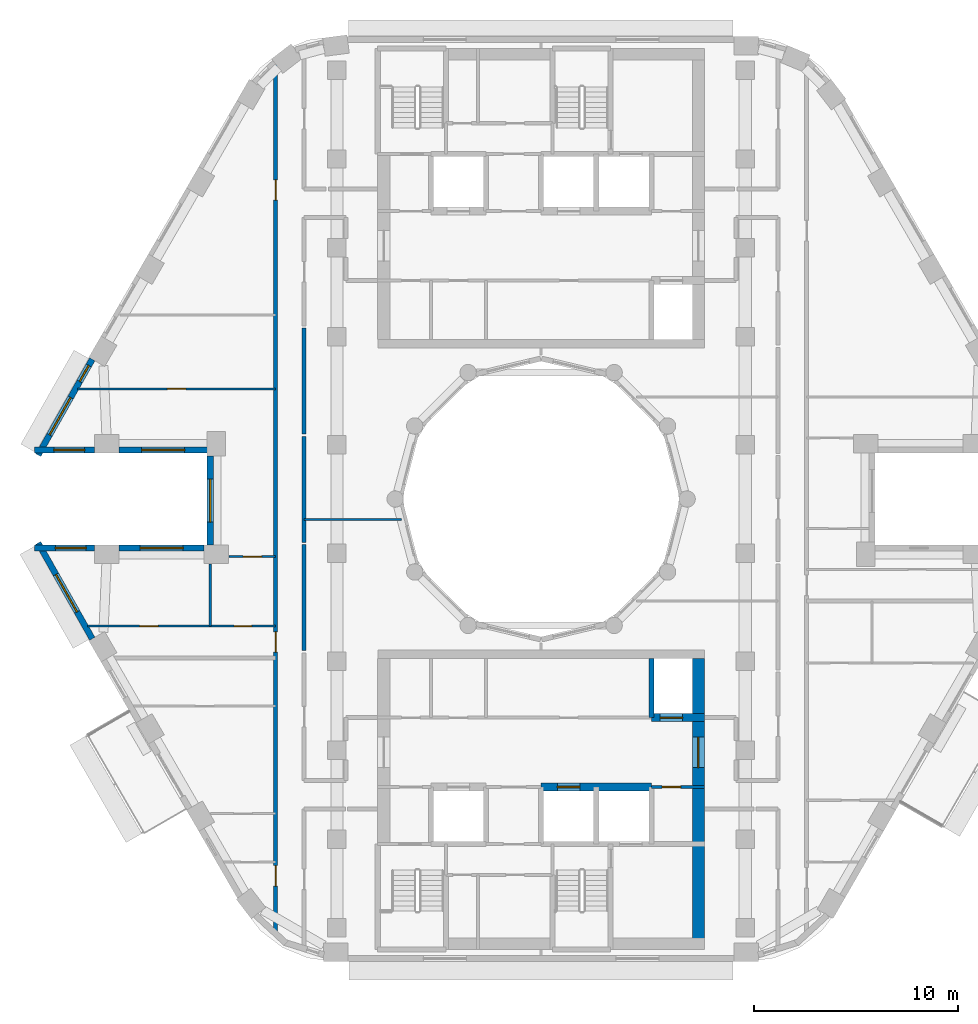
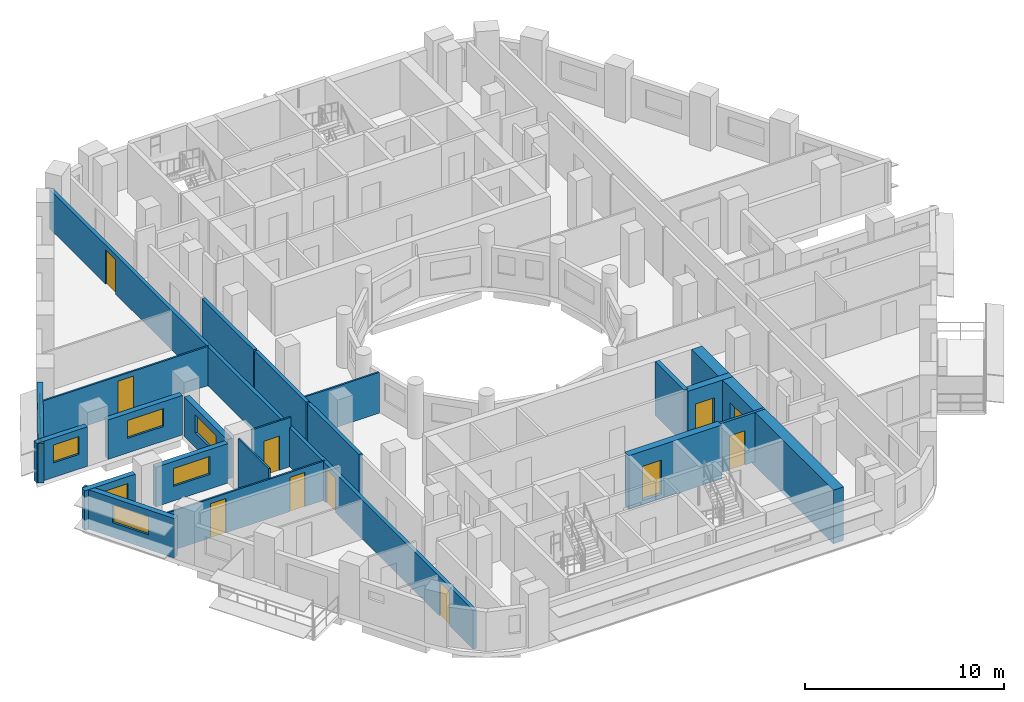
# One storey, part 4 of 15: 21 walls, 11 doors, 8 windows, 19 openings.
"""IFC4 building model written with IfcOpenShell, lengths in metres."""

from ifc_helpers import new_model, si_unit, direction, frame, frame_2d, origin, place, context, subcontext, project, spatial, rectangle, extrude, material, layer, layer_set, type_object, element, fill, save


model = new_model("IFC4")

# Units and contexts
model_context = context("Model", 3, precision=1e-05, world=origin(), true_north=direction((0.0, 1.0)))
body_context = subcontext(model_context, "Body", "Model", "MODEL_VIEW")
ifc_project = project(units=[si_unit("LENGTHUNIT", "METRE"), si_unit("AREAUNIT", "SQUARE_METRE"), si_unit("VOLUMEUNIT", "CUBIC_METRE"), si_unit("PLANEANGLEUNIT", "RADIAN"), si_unit("MASSUNIT", "GRAM", prefix="KILO")], contexts=[model_context])

# Site, building, storey
site_placement = place(None, origin())
site = spatial("IfcSite", under=ifc_project, at=site_placement, CompositionType="ELEMENT")
building_placement = place(site_placement, origin())
building = spatial("IfcBuilding", under=site, at=building_placement, Name="Nakaniwa Court", CompositionType="ELEMENT")
storey_placement = place(building_placement, frame((0.0, 0.0, 186.60009765625)))
storey = spatial("IfcBuildingStorey", under=building, at=storey_placement, Name="L48", CompositionType="ELEMENT", Elevation=186.60009765625)

# Walls
ifc_material_1 = material(Name="Acoustic double stud partition")
ifc_layer_1 = layer(ifc_material_1, 0.199951171875)
ifc_layer_set_1 = layer_set([ifc_layer_1], Name="Acoustic double stud partition")
wall_type_1 = type_object("IfcWallType", Name="Acoustic double stud partition 200", PredefinedType="PARTITIONING", material=ifc_layer_set_1)
for number, where, z_axis, x_axis, name in (
    (1, (68.39990234375, 72.5771484375, 0.0), (0.0, 0.0, 1.0), (0.0, 1.0, 0.0), "Partition PW-097"),
    (2, (68.39990234375, 77.877197265625, 0.0), (0.0, 0.0, 1.0), (0.0, 1.0, 0.0), "Partition PW-098"),
    (3, (68.39990234375, 83.17724609375, 0.0), (0.0, 0.0, 1.0), (0.0, 1.0, 0.0), "Partition PW-099"),
):
    element("IfcWall", number, at=place(storey_placement, frame(where, z_axis=z_axis, x_axis=x_axis)), inside=storey, type_object=wall_type_1, Name=name, PredefinedType="PARTITIONING", context=body_context, shape_type="SweptSolid", body=[
        extrude(rectangle(XDim=5.185546875, YDim=0.199951171875, at=frame_2d((2.5927734375, 0.0))), origin(), (0.0, 0.0, 1.0), 3.02490234375),
    ])

# Wall, openings, doors
wall_1_placement = place(storey_placement, frame((67.0, 58.67431640625, 0.0), z_axis=(0.0, 0.0, 1.0), x_axis=(0.0, 1.0, 0.0)))
wall_1 = element("IfcWall", 4, at=wall_1_placement, inside=storey, type_object=wall_type_1, Name="Partition PW-102", PredefinedType="PARTITIONING", context=body_context, shape_type="SweptSolid", body=[
    extrude(rectangle(XDim=42.591796875, YDim=0.199951171875, at=frame_2d((21.2958984375, 0.0))), origin(), (0.0, 0.0, 1.0), 2.40478515625),
])
opening_1_placement = place(wall_1_placement, frame((2.3759765625, 0.0, 0.0)))
opening_1 = element("IfcOpeningElement", 5, at=opening_1_placement, cuts=wall_1, Name="Opening D-01-03", PredefinedType="OPENING", context=body_context, shape_type="SweptSolid", body=[
    extrude(rectangle(XDim=1.0, YDim=2.10009765625, at=frame_2d((0.5, 1.050048828125))), frame((0.0, 0.10986328125, 0.0), z_axis=(0.0, -1.0, 0.0), x_axis=(1.0, 0.0, 0.0)), (0.0, 0.0, 1.0), 0.219970703125),
])
opening_2_placement = place(wall_1_placement, frame((13.825927734375, 0.0, 0.0)))
opening_2 = element("IfcOpeningElement", 6, at=opening_2_placement, cuts=wall_1, Name="Opening D-01-04", PredefinedType="OPENING", context=body_context, shape_type="SweptSolid", body=[
    extrude(rectangle(XDim=1.0, YDim=2.10009765625, at=frame_2d((0.5, 1.050048828125))), frame((0.0, 0.10986328125, 0.0), z_axis=(0.0, -1.0, 0.0), x_axis=(1.0, 0.0, 0.0)), (0.0, 0.0, 1.0), 0.219970703125),
])
opening_3_placement = place(wall_1_placement, frame((35.95703125, 0.0, 0.0)))
opening_3 = element("IfcOpeningElement", 7, at=opening_3_placement, cuts=wall_1, Name="Opening D-02-10", PredefinedType="OPENING", context=body_context, shape_type="SweptSolid", body=[
    extrude(rectangle(XDim=1.0, YDim=2.10009765625, at=frame_2d((0.5, 1.050048828125))), frame((0.0, 0.10986328125, 0.0), z_axis=(0.0, -1.0, 0.0), x_axis=(1.0, 0.0, 0.0)), (0.0, 0.0, 1.0), 0.219970703125),
])
ifc_material_2 = material(Name="Solid core timber door set, black veneer", Category="wood")
door_type_1 = type_object("IfcDoorType", Name="Flat entrance door 1000", OperationType="NOTDEFINED", PredefinedType="DOOR", material=ifc_material_2)
door_1_placement = place(opening_1_placement, origin())
door_1 = element("IfcDoor", 8, at=door_1_placement, inside=storey, type_object=door_type_1, Name="Door D-01-03 L48-037", OperationType="SINGLE_SWING_RIGHT", OverallHeight=2.10009765625, OverallWidth=1.0, PredefinedType="DOOR", context=body_context, shape_type="SweptSolid", body=[
    extrude(rectangle(XDim=1.0, YDim=2.10009765625, at=frame_2d((0.5, 1.050048828125))), frame((0.0, 0.02490234375, 0.0), z_axis=(0.0, -1.0, 0.0), x_axis=(1.0, 0.0, 0.0)), (0.0, 0.0, 1.0), 0.050048828125),
])
fill(opening_1, door_1)
door_2_placement = place(opening_2_placement, origin())
door_2 = element("IfcDoor", 9, at=door_2_placement, inside=storey, type_object=door_type_1, Name="Door D-01-04 L48-042", OperationType="SINGLE_SWING_LEFT", OverallHeight=2.10009765625, OverallWidth=1.0, PredefinedType="DOOR", context=body_context, shape_type="SweptSolid", body=[
    extrude(rectangle(XDim=1.0, YDim=2.10009765625, at=frame_2d((0.5, 1.050048828125))), frame((0.0, 0.02490234375, 0.0), z_axis=(0.0, -1.0, 0.0), x_axis=(1.0, 0.0, 0.0)), (0.0, 0.0, 1.0), 0.050048828125),
])
fill(opening_2, door_2)
door_type_2 = type_object("IfcDoorType", Name="Internal door 1000", OperationType="NOTDEFINED", PredefinedType="DOOR", material=ifc_material_2)
door_3_placement = place(opening_3_placement, origin())
door_3 = element("IfcDoor", 10, at=door_3_placement, inside=storey, type_object=door_type_2, Name="Door D-02-10 L48-050", OperationType="SINGLE_SWING_LEFT", OverallHeight=2.10009765625, OverallWidth=1.0, PredefinedType="DOOR", context=body_context, shape_type="SweptSolid", body=[
    extrude(rectangle(XDim=1.0, YDim=2.10009765625, at=frame_2d((0.5, 1.050048828125))), frame((0.0, 0.02490234375, 0.0), z_axis=(0.0, -1.0, 0.0), x_axis=(1.0, 0.0, 0.0)), (0.0, 0.0, 1.0), 0.050048828125),
])
fill(opening_3, door_3)

# Wall, openings, windows
ifc_material_3 = material(Name="Charcoal ceramic cladding")
ifc_layer_2 = layer(ifc_material_3, 0.02, Name="Ceramic cladding")
ifc_material_4 = material(Name="Ventilated air cavity")
ifc_layer_3 = layer(ifc_material_4, 0.04, ventilated=True, Name="Ventilated cavity")
ifc_material_5 = material(Name="Mineral wool insulation")
ifc_layer_4 = layer(ifc_material_5, 0.1, Name="Insulation")
ifc_material_6 = material(Name="Cement bonded sheathing board")
ifc_layer_5 = layer(ifc_material_6, 0.012, Name="Sheathing")
ifc_material_7 = material(Name="Cold-formed galvanised stud frame with mineral wool infill")
ifc_layer_6 = layer(ifc_material_7, 0.1, Name="Stud frame")
ifc_material_8 = material(Name="Fire-rated gypsum plasterboard lining")
ifc_layer_7 = layer(ifc_material_8, 0.028, Name="Lining")
ifc_layer_set_2 = layer_set([ifc_layer_2, ifc_layer_3, ifc_layer_4, ifc_layer_5, ifc_layer_6, ifc_layer_7], Name="Charcoal ceramic faced external wall system")
wall_type_2 = type_object("IfcWallType", Name="Black ceramic faced external wall 300", PredefinedType="SOLIDWALL", material=ifc_layer_set_2)
wall_2_placement = place(storey_placement, frame((58.023193359375, 86.843017578125, 0.0), z_axis=(0.0, 0.0, 1.0), x_axis=(-0.492033360928, -0.870576344575, 0.0)))
wall_2 = element("IfcWall", 11, at=wall_2_placement, inside=storey, type_object=wall_type_2, Name="L48 external wall 14", PredefinedType="SOLIDWALL", context=body_context, shape_type="SweptSolid", body=[
    extrude(rectangle(XDim=5.38671875, YDim=0.300048828125, at=frame_2d((2.693359375, 0.0))), origin(), (0.0, 0.0, 1.0), 2.4248046875),
])
opening_4_placement = place(wall_2_placement, frame((0.346923828125, 0.0, 0.89990234375)))
opening_4 = element("IfcOpeningElement", 12, at=opening_4_placement, cuts=wall_2, Name="Opening W9.16", PredefinedType="OPENING", context=body_context, shape_type="SweptSolid", body=[
    extrude(rectangle(XDim=0.89990234375, YDim=1.10009765625, at=frame_2d((0.449951171875, 0.550048828125))), frame((0.0, 0.159912109375, 0.0), z_axis=(0.0, -1.0, 0.0), x_axis=(1.0, 0.0, 0.0)), (0.0, 0.0, 1.0), 0.320068359375),
])
opening_5_placement = place(wall_2_placement, frame((2.15185546875, 0.0, 0.89990234375)))
opening_5 = element("IfcOpeningElement", 13, at=opening_5_placement, cuts=wall_2, Name="Opening W7.17", PredefinedType="OPENING", context=body_context, shape_type="SweptSolid", body=[
    extrude(rectangle(XDim=2.10009765625, YDim=1.10009765625, at=frame_2d((1.050048828125, 0.550048828125))), frame((0.0, 0.159912109375, 0.0), z_axis=(0.0, -1.0, 0.0), x_axis=(1.0, 0.0, 0.0)), (0.0, 0.0, 1.0), 0.320068359375),
])
ifc_material_9 = material(Name="Black anodised aluminium frame with dark low-E laminated double glazing", Category="aluminium")
window_type_1 = type_object("IfcWindowType", Name="Dark glass window 2100x1100 sill 900", PartitioningType="SINGLE_PANEL", PredefinedType="WINDOW", material=ifc_material_9)
window_1_placement = place(opening_5_placement, origin())
window_1 = element("IfcWindow", 14, at=window_1_placement, inside=storey, type_object=window_type_1, Name="L48 living window 14-1", OverallHeight=1.10009765625, OverallWidth=2.10009765625, PartitioningType="SINGLE_PANEL", PredefinedType="WINDOW", context=body_context, shape_type="SweptSolid", body=[
    extrude(rectangle(XDim=2.10009765625, YDim=1.10009765625, at=frame_2d((1.050048828125, 0.550048828125))), frame((0.0, 0.030029296875, 0.0), z_axis=(0.0, -1.0, 0.0), x_axis=(1.0, 0.0, 0.0)), (0.0, 0.0, 1.0), 0.06005859375),
])
fill(opening_5, window_1)
window_type_2 = type_object("IfcWindowType", Name="Dark glass window 900x1100 sill 900", PartitioningType="SINGLE_PANEL", PredefinedType="WINDOW", material=ifc_material_9)
window_2_placement = place(opening_4_placement, origin())
window_2 = element("IfcWindow", 15, at=window_2_placement, inside=storey, type_object=window_type_2, Name="L48 habitable room window 14-0", OverallHeight=1.10009765625, OverallWidth=0.89990234375, PartitioningType="SINGLE_PANEL", PredefinedType="WINDOW", context=body_context, shape_type="SweptSolid", body=[
    extrude(rectangle(XDim=0.89990234375, YDim=1.10009765625, at=frame_2d((0.449951171875, 0.550048828125))), frame((0.0, 0.030029296875, 0.0), z_axis=(0.0, -1.0, 0.0), x_axis=(1.0, 0.0, 0.0)), (0.0, 0.0, 1.0), 0.06005859375),
])
fill(opening_4, window_2)

# Wall, opening, window
wall_3_placement = place(storey_placement, frame((55.2021484375, 82.39990234375, 0.0), z_axis=(0.0, 0.0, 1.0), x_axis=(1.0, 0.0, 0.0)))
wall_3 = element("IfcWall", 16, at=wall_3_placement, inside=storey, type_object=wall_type_2, Name="L48 external wall 15", PredefinedType="SOLIDWALL", context=body_context, shape_type="SweptSolid", body=[
    extrude(rectangle(XDim=2.937744140625, YDim=0.300048828125, at=frame_2d((1.46875, 0.0))), origin(), (0.0, 0.0, 1.0), 2.4248046875),
])
opening_6_placement = place(wall_3_placement, frame((0.944091796875, 0.0, 0.89990234375)))
opening_6 = element("IfcOpeningElement", 17, at=opening_6_placement, cuts=wall_3, Name="Opening W5.18", PredefinedType="OPENING", context=body_context, shape_type="SweptSolid", body=[
    extrude(rectangle(XDim=1.5, YDim=1.10009765625, at=frame_2d((0.75, 0.550048828125))), frame((0.0, 0.159912109375, 0.0), z_axis=(0.0, -1.0, 0.0), x_axis=(1.0, 0.0, 0.0)), (0.0, 0.0, 1.0), 0.320068359375),
])
window_type_3 = type_object("IfcWindowType", Name="Dark glass window 1500x1100 sill 900", PartitioningType="SINGLE_PANEL", PredefinedType="WINDOW", material=ifc_material_9)
window_3_placement = place(opening_6_placement, origin())
window_3 = element("IfcWindow", 18, at=window_3_placement, inside=storey, type_object=window_type_3, Name="L48 living window 15-0", OverallHeight=1.10009765625, OverallWidth=1.5, PartitioningType="SINGLE_PANEL", PredefinedType="WINDOW", context=body_context, shape_type="SweptSolid", body=[
    extrude(rectangle(XDim=1.5, YDim=1.10009765625, at=frame_2d((0.75, 0.550048828125))), frame((0.0, 0.030029296875, 0.0), z_axis=(0.0, -1.0, 0.0), x_axis=(1.0, 0.0, 0.0)), (0.0, 0.0, 1.0), 0.06005859375),
])
fill(opening_6, window_3)

wall_4_placement = place(storey_placement, frame((59.33203125, 82.39990234375, 0.0), z_axis=(0.0, 0.0, 1.0), x_axis=(1.0, 0.0, 0.0)))
wall_4 = element("IfcWall", 19, at=wall_4_placement, inside=storey, type_object=wall_type_2, Name="L48 external wall 16", PredefinedType="SOLIDWALL", context=body_context, shape_type="SweptSolid", body=[
    extrude(rectangle(XDim=4.322509765625, YDim=0.300048828125, at=frame_2d((2.1611328125, 0.0))), origin(), (0.0, 0.0, 1.0), 2.4248046875),
])
opening_7_placement = place(wall_4_placement, frame((1.111083984375, 0.0, 0.89990234375)))
opening_7 = element("IfcOpeningElement", 20, at=opening_7_placement, cuts=wall_4, Name="Opening W7.19", PredefinedType="OPENING", context=body_context, shape_type="SweptSolid", body=[
    extrude(rectangle(XDim=2.10009765625, YDim=1.10009765625, at=frame_2d((1.050048828125, 0.550048828125))), frame((0.0, 0.159912109375, 0.0), z_axis=(0.0, -1.0, 0.0), x_axis=(1.0, 0.0, 0.0)), (0.0, 0.0, 1.0), 0.320068359375),
])
window_4_placement = place(opening_7_placement, origin())
window_4 = element("IfcWindow", 21, at=window_4_placement, inside=storey, type_object=window_type_1, Name="L48 living window 16-0", OverallHeight=1.10009765625, OverallWidth=2.10009765625, PartitioningType="SINGLE_PANEL", PredefinedType="WINDOW", context=body_context, shape_type="SweptSolid", body=[
    extrude(rectangle(XDim=2.10009765625, YDim=1.10009765625, at=frame_2d((1.050048828125, 0.550048828125))), frame((0.0, 0.030029296875, 0.0), z_axis=(0.0, -1.0, 0.0), x_axis=(1.0, 0.0, 0.0)), (0.0, 0.0, 1.0), 0.06005859375),
])
fill(opening_7, window_4)

wall_5_placement = place(storey_placement, frame((63.800537109375, 82.10400390625, 0.0), z_axis=(0.0, 0.0, 1.0), x_axis=(0.0, -1.0, 0.0)))
wall_5 = element("IfcWall", 22, at=wall_5_placement, inside=storey, type_object=wall_type_2, Name="L48 external wall 17", PredefinedType="SOLIDWALL", context=body_context, shape_type="SweptSolid", body=[
    extrude(rectangle(XDim=4.35791015625, YDim=0.300048828125, at=frame_2d((2.178955078125, 0.0))), origin(), (0.0, 0.0, 1.0), 2.4248046875),
])
opening_8_placement = place(wall_5_placement, frame((1.12890625, 0.0, 0.89990234375)))
opening_8 = element("IfcOpeningElement", 23, at=opening_8_placement, cuts=wall_5, Name="Opening W7.20", PredefinedType="OPENING", context=body_context, shape_type="SweptSolid", body=[
    extrude(rectangle(XDim=2.10009765625, YDim=1.10009765625, at=frame_2d((1.050048828125, 0.550048828125))), frame((0.0, 0.159912109375, 0.0), z_axis=(0.0, -1.0, 0.0), x_axis=(1.0, 0.0, 0.0)), (0.0, 0.0, 1.0), 0.320068359375),
])
window_5_placement = place(opening_8_placement, origin())
window_5 = element("IfcWindow", 24, at=window_5_placement, inside=storey, type_object=window_type_1, Name="L48 living window 17-0", OverallHeight=1.10009765625, OverallWidth=2.10009765625, PartitioningType="SINGLE_PANEL", PredefinedType="WINDOW", context=body_context, shape_type="SweptSolid", body=[
    extrude(rectangle(XDim=2.10009765625, YDim=1.10009765625, at=frame_2d((1.050048828125, 0.550048828125))), frame((0.0, 0.030029296875, 0.0), z_axis=(0.0, -1.0, 0.0), x_axis=(1.0, 0.0, 0.0)), (0.0, 0.0, 1.0), 0.06005859375),
])
fill(opening_8, window_5)

wall_6_placement = place(storey_placement, frame((63.50439453125, 77.60009765625, 0.0), z_axis=(0.0, 0.0, 1.0), x_axis=(-1.0, 0.0, 0.0)))
wall_6 = element("IfcWall", 25, at=wall_6_placement, inside=storey, type_object=wall_type_2, Name="L48 external wall 18", PredefinedType="SOLIDWALL", context=body_context, shape_type="SweptSolid", body=[
    extrude(rectangle(XDim=4.17236328125, YDim=0.300048828125, at=frame_2d((2.086181640625, 0.0))), origin(), (0.0, 0.0, 1.0), 2.4248046875),
])
opening_9_placement = place(wall_6_placement, frame((1.036376953125, 0.0, 0.89990234375)))
opening_9 = element("IfcOpeningElement", 26, at=opening_9_placement, cuts=wall_6, Name="Opening W7.21", PredefinedType="OPENING", context=body_context, shape_type="SweptSolid", body=[
    extrude(rectangle(XDim=2.10009765625, YDim=1.10009765625, at=frame_2d((1.050048828125, 0.550048828125))), frame((0.0, 0.159912109375, 0.0), z_axis=(0.0, -1.0, 0.0), x_axis=(1.0, 0.0, 0.0)), (0.0, 0.0, 1.0), 0.320068359375),
])
window_6_placement = place(opening_9_placement, origin())
window_6 = element("IfcWindow", 27, at=window_6_placement, inside=storey, type_object=window_type_1, Name="L48 habitable room window 18-0", OverallHeight=1.10009765625, OverallWidth=2.10009765625, PartitioningType="SINGLE_PANEL", PredefinedType="WINDOW", context=body_context, shape_type="SweptSolid", body=[
    extrude(rectangle(XDim=2.10009765625, YDim=1.10009765625, at=frame_2d((1.050048828125, 0.550048828125))), frame((0.0, 0.030029296875, 0.0), z_axis=(0.0, -1.0, 0.0), x_axis=(1.0, 0.0, 0.0)), (0.0, 0.0, 1.0), 0.06005859375),
])
fill(opening_9, window_6)

wall_7_placement = place(storey_placement, frame((58.139892578125, 77.60009765625, 0.0), z_axis=(0.0, 0.0, 1.0), x_axis=(-1.0, 0.0, 0.0)))
wall_7 = element("IfcWall", 28, at=wall_7_placement, inside=storey, type_object=wall_type_2, Name="L48 external wall 19", PredefinedType="SOLIDWALL", context=body_context, shape_type="SweptSolid", body=[
    extrude(rectangle(XDim=2.937744140625, YDim=0.300048828125, at=frame_2d((1.46875, 0.0))), origin(), (0.0, 0.0, 1.0), 2.4248046875),
])
opening_10_placement = place(wall_7_placement, frame((0.42041015625, 0.0, 0.89990234375)))
opening_10 = element("IfcOpeningElement", 29, at=opening_10_placement, cuts=wall_7, Name="Opening W5.22", PredefinedType="OPENING", context=body_context, shape_type="SweptSolid", body=[
    extrude(rectangle(XDim=1.5, YDim=1.10009765625, at=frame_2d((0.75, 0.550048828125))), frame((0.0, 0.159912109375, 0.0), z_axis=(0.0, -1.0, 0.0), x_axis=(1.0, 0.0, 0.0)), (0.0, 0.0, 1.0), 0.320068359375),
])
window_7_placement = place(opening_10_placement, origin())
window_7 = element("IfcWindow", 30, at=window_7_placement, inside=storey, type_object=window_type_3, Name="L48 habitable room window 19-0", OverallHeight=1.10009765625, OverallWidth=1.5, PartitioningType="SINGLE_PANEL", PredefinedType="WINDOW", context=body_context, shape_type="SweptSolid", body=[
    extrude(rectangle(XDim=1.5, YDim=1.10009765625, at=frame_2d((0.75, 0.550048828125))), frame((0.0, 0.030029296875, 0.0), z_axis=(0.0, -1.0, 0.0), x_axis=(1.0, 0.0, 0.0)), (0.0, 0.0, 1.0), 0.06005859375),
])
fill(opening_10, window_7)

wall_8_placement = place(storey_placement, frame((55.372802734375, 77.846435546875, 0.0), z_axis=(0.0, 0.0, 1.0), x_axis=(0.492033360928, -0.870576344575, 0.0)))
wall_8 = element("IfcWall", 31, at=wall_8_placement, inside=storey, type_object=wall_type_2, Name="L48 external wall 20", PredefinedType="SOLIDWALL", context=body_context, shape_type="SweptSolid", body=[
    extrude(rectangle(XDim=5.38671875, YDim=0.300048828125, at=frame_2d((2.693359375, 0.0))), origin(), (0.0, 0.0, 1.0), 2.4248046875),
])
opening_11_placement = place(wall_8_placement, frame((1.77001953125, 0.0, 0.89990234375)))
opening_11 = element("IfcOpeningElement", 32, at=opening_11_placement, cuts=wall_8, Name="Opening W7.23", PredefinedType="OPENING", context=body_context, shape_type="SweptSolid", body=[
    extrude(rectangle(XDim=2.10009765625, YDim=1.10009765625, at=frame_2d((1.050048828125, 0.550048828125))), frame((0.0, 0.159912109375, 0.0), z_axis=(0.0, -1.0, 0.0), x_axis=(1.0, 0.0, 0.0)), (0.0, 0.0, 1.0), 0.320068359375),
])
window_8_placement = place(opening_11_placement, origin())
window_8 = element("IfcWindow", 33, at=window_8_placement, inside=storey, type_object=window_type_1, Name="L48 habitable room window 20-0", OverallHeight=1.10009765625, OverallWidth=2.10009765625, PartitioningType="SINGLE_PANEL", PredefinedType="WINDOW", context=body_context, shape_type="SweptSolid", body=[
    extrude(rectangle(XDim=2.10009765625, YDim=1.10009765625, at=frame_2d((1.050048828125, 0.550048828125))), frame((0.0, 0.030029296875, 0.0), z_axis=(0.0, -1.0, 0.0), x_axis=(1.0, 0.0, 0.0)), (0.0, 0.0, 1.0), 0.06005859375),
])
fill(opening_11, window_8)

# Wall, opening, door
ifc_material_10 = material(Name="Blockwork partition", Category="masonry")
ifc_layer_8 = layer(ifc_material_10, 0.14990234375)
ifc_layer_set_3 = layer_set([ifc_layer_8], Name="Blockwork partition")
wall_type_3 = type_object("IfcWallType", Name="Blockwork partition 150", PredefinedType="PARTITIONING", material=ifc_layer_set_3)
wall_9_placement = place(storey_placement, frame((88.0, 65.89990234375, 0.0), z_axis=(0.0, 0.0, 1.0), x_axis=(-1.0, 0.0, 0.0)))
wall_9 = element("IfcWall", 34, at=wall_9_placement, inside=storey, type_object=wall_type_3, Name="Partition PW-044", PredefinedType="PARTITIONING", context=body_context, shape_type="SweptSolid", body=[
    extrude(rectangle(XDim=2.60302734375, YDim=0.14990234375, at=frame_2d((1.301513671875, 0.0))), origin(), (0.0, 0.0, 1.0), 3.02490234375),
])
opening_12_placement = place(wall_9_placement, frame((1.175048828125, 0.0, 0.0)))
opening_12 = element("IfcOpeningElement", 35, at=opening_12_placement, cuts=wall_9, Name="Opening D-05-10", PredefinedType="OPENING", context=body_context, shape_type="SweptSolid", body=[
    extrude(rectangle(XDim=0.89990234375, YDim=2.10009765625, at=frame_2d((0.449951171875, 1.050048828125))), frame((0.0, 0.0849609375, 0.0), z_axis=(0.0, -1.0, 0.0), x_axis=(1.0, 0.0, 0.0)), (0.0, 0.0, 1.0), 0.169921875),
])
ifc_material_11 = material(Name="Fire rated steel door set", Category="steel")
door_type_3 = type_object("IfcDoorType", Name="Service room door 900", OperationType="NOTDEFINED", PredefinedType="DOOR", material=ifc_material_11)
door_4_placement = place(opening_12_placement, origin())
door_4 = element("IfcDoor", 36, at=door_4_placement, inside=storey, type_object=door_type_3, Name="Door D-05-10 L48-017", OperationType="SINGLE_SWING_RIGHT", OverallHeight=2.10009765625, OverallWidth=0.89990234375, PredefinedType="DOOR", context=body_context, shape_type="SweptSolid", body=[
    extrude(rectangle(XDim=0.89990234375, YDim=2.10009765625, at=frame_2d((0.449951171875, 1.050048828125))), frame((0.0, 0.02490234375, 0.0), z_axis=(0.0, -1.0, 0.0), x_axis=(1.0, 0.0, 0.0)), (0.0, 0.0, 1.0), 0.050048828125),
])
fill(opening_12, door_4)

ifc_material_12 = material(Name="Concrete C80/100", Category="concrete")
ifc_layer_9 = layer(ifc_material_12, 0.60009765625)
ifc_layer_set_4 = layer_set([ifc_layer_9], Name="Concrete C80/100")
wall_type_4 = type_object("IfcWallType", Name="Concrete core side wall 600 C80", PredefinedType="SHEAR", material=ifc_layer_set_4)
wall_10_placement = place(storey_placement, frame((87.699951171875, 72.199951171875, -0.275146484375), z_axis=(0.0, 0.0, 1.0), x_axis=(0.0, -1.0, 0.0)))
wall_10 = element("IfcWall", 37, at=wall_10_placement, inside=storey, type_object=wall_type_4, Name="Core wall SW-40", PredefinedType="SHEAR", context=body_context, shape_type="SweptSolid", body=[
    extrude(rectangle(XDim=14.25, YDim=0.60009765625, at=frame_2d((7.125, 0.0))), origin(), (0.0, 0.0, 1.0), 3.300048828125),
])
opening_13_placement = place(wall_10_placement, frame((3.85205078125, 0.0, 0.27490234375)))
opening_13 = element("IfcOpeningElement", 38, at=opening_13_placement, cuts=wall_10, Name="Opening D-07-03", PredefinedType="OPENING", context=body_context, shape_type="SweptSolid", body=[
    extrude(rectangle(XDim=1.5, YDim=2.10009765625, at=frame_2d((0.75, 1.050048828125))), frame((0.0, 0.31005859375, 0.0), z_axis=(0.0, -1.0, 0.0), x_axis=(1.0, 0.0, 0.0)), (0.0, 0.0, 1.0), 0.6201171875),
])
ifc_material_13 = material(Name="Glazed fire rated steel double door set", Category="steel")
door_type_4 = type_object("IfcDoorType", Name="Lobby double door 1500", OperationType="NOTDEFINED", PredefinedType="DOOR", material=ifc_material_13)
door_5_placement = place(opening_13_placement, origin())
door_5 = element("IfcDoor", 39, at=door_5_placement, inside=storey, type_object=door_type_4, Name="Door D-07-03 L48-054", OperationType="DOUBLE_DOOR_SINGLE_SWING", OverallHeight=2.10009765625, OverallWidth=1.5, PredefinedType="DOOR", context=body_context, shape_type="SweptSolid", body=[
    extrude(rectangle(XDim=1.5, YDim=2.10009765625, at=frame_2d((0.75, 1.050048828125))), frame((0.0, 0.02490234375, 0.0), z_axis=(0.0, -1.0, 0.0), x_axis=(1.0, 0.0, 0.0)), (0.0, 0.0, 1.0), 0.050048828125),
])
fill(opening_13, door_5)

ifc_layer_10 = layer(ifc_material_12, 0.39990234375)
ifc_layer_set_5 = layer_set([ifc_layer_10], Name="Concrete C80/100")
wall_type_5 = type_object("IfcWallType", Name="Concrete core spine wall 400 C80", PredefinedType="SHEAR", material=ifc_layer_set_5)
wall_11_placement = place(storey_placement, frame((85.39990234375, 69.300048828125, -0.275146484375), z_axis=(0.0, 0.0, 1.0), x_axis=(1.0, 0.0, 0.0)))
wall_11 = element("IfcWall", 40, at=wall_11_placement, inside=storey, type_object=wall_type_5, Name="Core wall SW-39", PredefinedType="SHEAR", context=body_context, shape_type="SweptSolid", body=[
    extrude(rectangle(XDim=2.60009765625, YDim=0.39990234375, at=frame_2d((1.300048828125, 0.0))), origin(), (0.0, 0.0, 1.0), 3.300048828125),
])
opening_14_placement = place(wall_11_placement, frame((0.425048828125, 0.0, 0.27490234375)))
opening_14 = element("IfcOpeningElement", 41, at=opening_14_placement, cuts=wall_11, Name="Opening LD05", PredefinedType="OPENING", context=body_context, shape_type="SweptSolid", body=[
    extrude(rectangle(XDim=1.10009765625, YDim=2.10009765625, at=frame_2d((0.550048828125, 1.050048828125))), frame((0.0, 0.2099609375, 0.0), z_axis=(0.0, -1.0, 0.0), x_axis=(1.0, 0.0, 0.0)), (0.0, 0.0, 1.0), 0.419921875),
])
ifc_material_14 = material(Name="Stainless steel sliding lift landing door", Category="steel")
door_type_5 = type_object("IfcDoorType", Name="Lift landing door 1100", OperationType="NOTDEFINED", PredefinedType="DOOR", material=ifc_material_14)
door_6_placement = place(opening_14_placement, origin())
door_6 = element("IfcDoor", 42, at=door_6_placement, inside=storey, type_object=door_type_5, Name="Lift landing door LD05 L48-005", OperationType="SLIDING_TO_LEFT", OverallHeight=2.10009765625, OverallWidth=1.10009765625, PredefinedType="DOOR", context=body_context, shape_type="SweptSolid", body=[
    extrude(rectangle(XDim=1.10009765625, YDim=2.10009765625, at=frame_2d((0.550048828125, 1.050048828125))), frame((0.0, 0.02490234375, 0.0), z_axis=(0.0, -1.0, 0.0), x_axis=(1.0, 0.0, 0.0)), (0.0, 0.0, 1.0), 0.050048828125),
])
fill(opening_14, door_6)

wall_12_placement = place(storey_placement, frame((79.9970703125, 65.89990234375, -0.275146484375), z_axis=(0.0, 0.0, 1.0), x_axis=(1.0, 0.0, 0.0)))
wall_12 = element("IfcWall", 43, at=wall_12_placement, inside=storey, type_object=wall_type_5, Name="Core wall SW-46", PredefinedType="SHEAR", context=body_context, shape_type="SweptSolid", body=[
    extrude(rectangle(XDim=5.406005859375, YDim=0.39990234375, at=frame_2d((2.703125, 0.0))), origin(), (0.0, 0.0, 1.0), 3.300048828125),
])
opening_15_placement = place(wall_12_placement, frame((0.802978515625, 0.0, 0.27490234375)))
opening_15 = element("IfcOpeningElement", 44, at=opening_15_placement, cuts=wall_12, Name="Opening LD07", PredefinedType="OPENING", context=body_context, shape_type="SweptSolid", body=[
    extrude(rectangle(XDim=1.10009765625, YDim=2.10009765625, at=frame_2d((0.550048828125, 1.050048828125))), frame((0.0, 0.2099609375, 0.0), z_axis=(0.0, -1.0, 0.0), x_axis=(1.0, 0.0, 0.0)), (0.0, 0.0, 1.0), 0.419921875),
])
door_7_placement = place(opening_15_placement, origin())
door_7 = element("IfcDoor", 45, at=door_7_placement, inside=storey, type_object=door_type_5, Name="Lift landing door LD07 L48-007", OperationType="SLIDING_TO_LEFT", OverallHeight=2.10009765625, OverallWidth=1.10009765625, PredefinedType="DOOR", context=body_context, shape_type="SweptSolid", body=[
    extrude(rectangle(XDim=1.10009765625, YDim=2.10009765625, at=frame_2d((0.550048828125, 1.050048828125))), frame((0.0, 0.02490234375, 0.0), z_axis=(0.0, -1.0, 0.0), x_axis=(1.0, 0.0, 0.0)), (0.0, 0.0, 1.0), 0.050048828125),
])
fill(opening_15, door_7)

# Walls
ifc_layer_11 = layer(ifc_material_12, 0.25)
ifc_layer_set_6 = layer_set([ifc_layer_11], Name="Concrete C80/100")
wall_type_6 = type_object("IfcWallType", Name="Concrete shaft wall 250 C80", PredefinedType="SHEAR", material=ifc_layer_set_6)
wall_13_placement = place(storey_placement, frame((85.39990234375, 69.300048828125, -0.275146484375), z_axis=(0.0, 0.0, 1.0), x_axis=(0.0, 1.0, 0.0)))
element("IfcWall", 46, at=wall_13_placement, inside=storey, type_object=wall_type_6, Name="Core wall SW-38", PredefinedType="SHEAR", context=body_context, shape_type="SweptSolid", body=[
    extrude(rectangle(XDim=2.89990234375, YDim=0.25, at=frame_2d((1.449951171875, 0.0))), origin(), (0.0, 0.0, 1.0), 3.300048828125),
])
ifc_material_15 = material(Name="Single stud plasterboard partition")
ifc_layer_12 = layer(ifc_material_15, 0.10009765625)
ifc_layer_set_7 = layer_set([ifc_layer_12], Name="Single stud plasterboard partition")
wall_type_7 = type_object("IfcWallType", Name="Single stud plasterboard partition 100", PredefinedType="PARTITIONING", material=ifc_layer_set_7)
wall_14_placement = place(storey_placement, frame((68.40087890625, 79.0, 0.0), z_axis=(0.0, 0.0, 1.0), x_axis=(1.0, 0.0, 0.0)))
element("IfcWall", 47, at=wall_14_placement, inside=storey, type_object=wall_type_7, Name="Partition PW-126", PredefinedType="PARTITIONING", context=body_context, shape_type="SweptSolid", body=[
    extrude(rectangle(XDim=4.765869140625, YDim=0.10009765625, at=frame_2d((2.3828125, 0.0))), origin(), (0.0, 0.0, 1.0), 2.5048828125),
])

# Wall, openings, doors
wall_15_placement = place(storey_placement, frame((57.786376953125, 73.77490234375, 0.0), z_axis=(0.0, 0.0, 1.0), x_axis=(1.0, 0.0, 0.0)))
wall_15 = element("IfcWall", 48, at=wall_15_placement, inside=storey, type_object=wall_type_7, Name="Partition PW-127", PredefinedType="PARTITIONING", context=body_context, shape_type="SweptSolid", body=[
    extrude(rectangle(XDim=9.212646484375, YDim=0.10009765625, at=frame_2d((4.6064453125, 0.0))), origin(), (0.0, 0.0, 1.0), 2.40478515625),
])
opening_16_placement = place(wall_15_placement, frame((7.18798828125, 0.0, 0.0)))
opening_16 = element("IfcOpeningElement", 49, at=opening_16_placement, cuts=wall_15, Name="Opening D-03-04", PredefinedType="OPENING", context=body_context, shape_type="SweptSolid", body=[
    extrude(rectangle(XDim=0.85009765625, YDim=2.10009765625, at=frame_2d((0.425048828125, 1.050048828125))), frame((0.0, 0.06005859375, 0.0), z_axis=(0.0, -1.0, 0.0), x_axis=(1.0, 0.0, 0.0)), (0.0, 0.0, 1.0), 0.1201171875),
])
opening_17_placement = place(wall_15_placement, frame((2.555908203125, 0.0, 0.0)))
opening_17 = element("IfcOpeningElement", 50, at=opening_17_placement, cuts=wall_15, Name="Opening D-33-08", PredefinedType="OPENING", context=body_context, shape_type="SweptSolid", body=[
    extrude(rectangle(XDim=0.89990234375, YDim=2.10009765625, at=frame_2d((0.449951171875, 1.050048828125))), frame((0.0, 0.06005859375, 0.0), z_axis=(0.0, -1.0, 0.0), x_axis=(1.0, 0.0, 0.0)), (0.0, 0.0, 1.0), 0.1201171875),
])
ifc_material_16 = material(Name="Moisture sealed timber door set", Category="wood")
door_type_6 = type_object("IfcDoorType", Name="Bathroom door 850", OperationType="NOTDEFINED", PredefinedType="DOOR", material=ifc_material_16)
door_8_placement = place(opening_16_placement, origin())
door_8 = element("IfcDoor", 51, at=door_8_placement, inside=storey, type_object=door_type_6, Name="Door D-03-04 L48-043", OperationType="SINGLE_SWING_RIGHT", OverallHeight=2.10009765625, OverallWidth=0.85009765625, PredefinedType="DOOR", context=body_context, shape_type="SweptSolid", body=[
    extrude(rectangle(XDim=0.85009765625, YDim=2.10009765625, at=frame_2d((0.425048828125, 1.050048828125))), frame((0.0, 0.02490234375, 0.0), z_axis=(0.0, -1.0, 0.0), x_axis=(1.0, 0.0, 0.0)), (0.0, 0.0, 1.0), 0.050048828125),
])
fill(opening_16, door_8)
door_type_7 = type_object("IfcDoorType", Name="Internal door 900", OperationType="NOTDEFINED", PredefinedType="DOOR", material=ifc_material_2)
door_9_placement = place(opening_17_placement, origin())
door_9 = element("IfcDoor", 52, at=door_9_placement, inside=storey, type_object=door_type_7, Name="Door D-33-08 L48-044", OperationType="SINGLE_SWING_LEFT", OverallHeight=2.10009765625, OverallWidth=0.89990234375, PredefinedType="DOOR", context=body_context, shape_type="SweptSolid", body=[
    extrude(rectangle(XDim=0.89990234375, YDim=2.10009765625, at=frame_2d((0.449951171875, 1.050048828125))), frame((0.0, 0.02490234375, 0.0), z_axis=(0.0, -1.0, 0.0), x_axis=(1.0, 0.0, 0.0)), (0.0, 0.0, 1.0), 0.050048828125),
])
fill(opening_17, door_9)

# Wall
wall_16_placement = place(storey_placement, frame((63.799072265625, 73.77490234375, 0.0), z_axis=(0.0, 0.0, 1.0), x_axis=(0.0, 1.0, 0.0)))
element("IfcWall", 53, at=wall_16_placement, inside=storey, type_object=wall_type_7, Name="Partition PW-128", PredefinedType="PARTITIONING", context=body_context, shape_type="SweptSolid", body=[
    extrude(rectangle(XDim=3.05517578125, YDim=0.10009765625, at=frame_2d((1.527587890625, 0.0))), origin(), (0.0, 0.0, 1.0), 3.02490234375),
])

# Wall, opening, door
wall_17_placement = place(storey_placement, frame((64.720458984375, 77.175048828125, 0.0), z_axis=(0.0, 0.0, 1.0), x_axis=(1.0, 0.0, 0.0)))
wall_17 = element("IfcWall", 54, at=wall_17_placement, inside=storey, type_object=wall_type_7, Name="Partition PW-129", PredefinedType="PARTITIONING", context=body_context, shape_type="SweptSolid", body=[
    extrude(rectangle(XDim=2.278564453125, YDim=0.10009765625, at=frame_2d((1.13916015625, 0.0))), origin(), (0.0, 0.0, 1.0), 3.02490234375),
])
opening_18_placement = place(wall_17_placement, frame((0.68896484375, 0.0, 0.0)))
opening_18 = element("IfcOpeningElement", 55, at=opening_18_placement, cuts=wall_17, Name="Opening D-33-09", PredefinedType="OPENING", context=body_context, shape_type="SweptSolid", body=[
    extrude(rectangle(XDim=0.89990234375, YDim=2.10009765625, at=frame_2d((0.449951171875, 1.050048828125))), frame((0.0, 0.06005859375, 0.0), z_axis=(0.0, -1.0, 0.0), x_axis=(1.0, 0.0, 0.0)), (0.0, 0.0, 1.0), 0.1201171875),
])
door_10_placement = place(opening_18_placement, origin())
door_10 = element("IfcDoor", 56, at=door_10_placement, inside=storey, type_object=door_type_7, Name="Door D-33-09 L48-045", OperationType="SINGLE_SWING_RIGHT", OverallHeight=2.10009765625, OverallWidth=0.89990234375, PredefinedType="DOOR", context=body_context, shape_type="SweptSolid", body=[
    extrude(rectangle(XDim=0.89990234375, YDim=2.10009765625, at=frame_2d((0.449951171875, 1.050048828125))), frame((0.0, 0.02490234375, 0.0), z_axis=(0.0, -1.0, 0.0), x_axis=(1.0, 0.0, 0.0)), (0.0, 0.0, 1.0), 0.050048828125),
])
fill(opening_18, door_10)

wall_18_placement = place(storey_placement, frame((57.306640625, 85.39404296875, 0.0), z_axis=(0.0, 0.0, 1.0), x_axis=(1.0, 0.0, 0.0)))
wall_18 = element("IfcWall", 57, at=wall_18_placement, inside=storey, type_object=wall_type_7, Name="Partition PW-130", PredefinedType="PARTITIONING", context=body_context, shape_type="SweptSolid", body=[
    extrude(rectangle(XDim=9.6923828125, YDim=0.10009765625, at=frame_2d((4.84619140625, 0.0))), origin(), (0.0, 0.0, 1.0), 2.40478515625),
])
opening_19_placement = place(wall_18_placement, frame((4.39599609375, 0.0, 0.0)))
opening_19 = element("IfcOpeningElement", 58, at=opening_19_placement, cuts=wall_18, Name="Opening D-33-10", PredefinedType="OPENING", context=body_context, shape_type="SweptSolid", body=[
    extrude(rectangle(XDim=0.89990234375, YDim=2.10009765625, at=frame_2d((0.449951171875, 1.050048828125))), frame((0.0, 0.06005859375, 0.0), z_axis=(0.0, -1.0, 0.0), x_axis=(1.0, 0.0, 0.0)), (0.0, 0.0, 1.0), 0.1201171875),
])
door_11_placement = place(opening_19_placement, origin())
door_11 = element("IfcDoor", 59, at=door_11_placement, inside=storey, type_object=door_type_7, Name="Door D-33-10 L48-046", OperationType="SINGLE_SWING_LEFT", OverallHeight=2.10009765625, OverallWidth=0.89990234375, PredefinedType="DOOR", context=body_context, shape_type="SweptSolid", body=[
    extrude(rectangle(XDim=0.89990234375, YDim=2.10009765625, at=frame_2d((0.449951171875, 1.050048828125))), frame((0.0, 0.02490234375, 0.0), z_axis=(0.0, -1.0, 0.0), x_axis=(1.0, 0.0, 0.0)), (0.0, 0.0, 1.0), 0.050048828125),
])
fill(opening_19, door_11)

save(model, "model.ifc")
